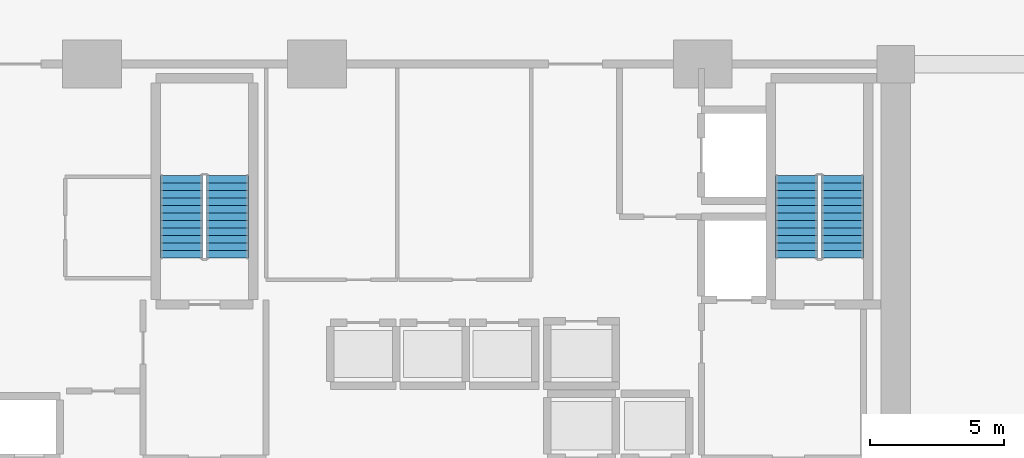
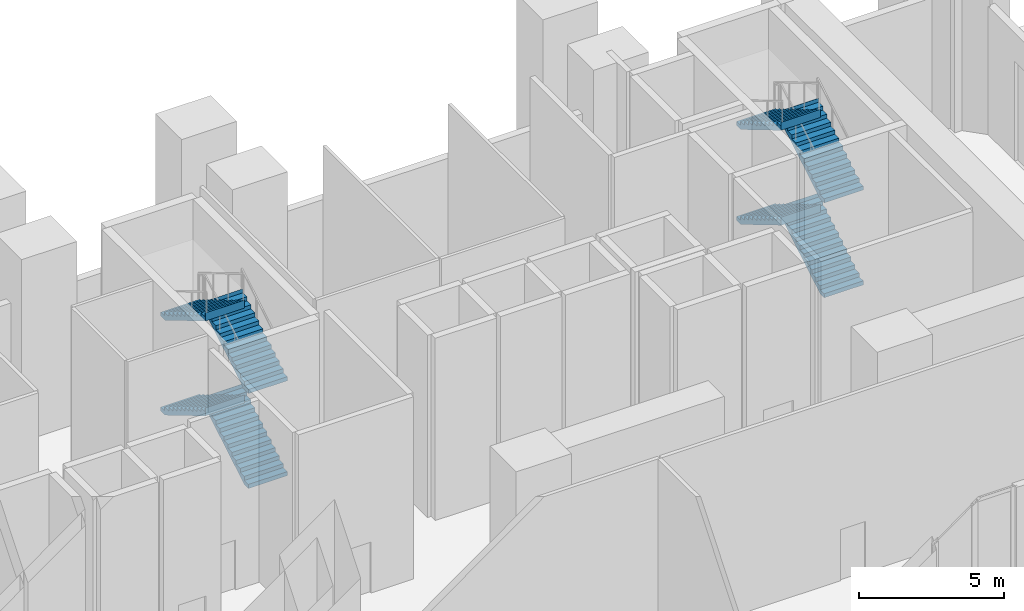
# One storey, part 14 of 17: 8 stair flights, 2 elements without a shape of their own.
"""IFC4 building model written with IfcOpenShell, lengths in metres."""

from ifc_helpers import new_model, si_unit, direction, frame, origin, place, context, subcontext, project, spatial, polyline, outline, extrude, material, type_object, element, aggregate, save


model = new_model("IFC4")

# Units and contexts
model_context = context("Model", 3, precision=1e-05, world=origin(), true_north=direction((0.0, 1.0)))
body_context = subcontext(model_context, "Body", "Model", "MODEL_VIEW")
ifc_project = project(units=[si_unit("LENGTHUNIT", "METRE"), si_unit("AREAUNIT", "SQUARE_METRE"), si_unit("VOLUMEUNIT", "CUBIC_METRE"), si_unit("PLANEANGLEUNIT", "RADIAN"), si_unit("MASSUNIT", "GRAM", prefix="KILO")], contexts=[model_context])

# Site, building, storey
site_placement = place(None, origin())
site = spatial("IfcSite", under=ifc_project, at=site_placement, CompositionType="ELEMENT")
building_placement = place(site_placement, origin())
building = spatial("IfcBuilding", under=site, at=building_placement, Name="Kaelvorn Grand Hotel", CompositionType="ELEMENT")
storey_placement = place(building_placement, origin())
storey = spatial("IfcBuildingStorey", under=building, at=storey_placement, Name="L00", CompositionType="ELEMENT", Elevation=0.0)

# Stair, stair flights
ifc_material = material(Name="Concrete C40/50", Category="concrete")
stair_type = type_object("IfcStairType", Name="STR-DOG-1560-R02", PredefinedType="HALF_TURN_STAIR", material=ifc_material)
stair_1_placement = place(storey_placement, origin())
stair_1 = element("IfcStair", 1, at=stair_1_placement, inside=storey, type_object=stair_type, Name="L00 Central Core Exit Stair ST2", PredefinedType="HALF_TURN_STAIR")
stair_flight_type = type_object("IfcStairFlightType", Name="FLG-DOG-1560-R02", PredefinedType="STRAIGHT", material=ifc_material)
stair_flight_1_placement = place(storey_placement, frame((42.860107421875, 41.760009765625, 0.0), z_axis=(0.0, 0.0, 1.0), x_axis=(0.0, 1.0, 0.0)))
stair_flight_1 = element("IfcStairFlight", 2, at=stair_flight_1_placement, type_object=stair_flight_type, Name="ST2 flight 1", NumberOfRisers=12, NumberOfTreads=11, PredefinedType="STRAIGHT", RiserHeight=0.166666667, TreadLength=0.28, context=body_context, shape_type="SweptSolid", body=[
    extrude(outline(polyline([(-0.0048828125, 0.0), (-0.0048828125, 0.0400390625), (0.0, 0.166748046875), (0.280029296875, 0.166748046875), (0.280029296875, 0.333251953125), (0.56005859375, 0.333251953125), (0.56005859375, 0.5), (0.840087890625, 0.5), (0.840087890625, 0.666748046875), (1.1201171875, 0.666748046875), (1.1201171875, 0.833251953125), (1.39990234375, 0.833251953125), (1.39990234375, 1.0), (1.679931640625, 1.0), (1.679931640625, 1.166748046875), (1.9599609375, 1.166748046875), (1.9599609375, 1.333251953125), (2.239990234375, 1.333251953125), (2.239990234375, 1.5), (2.52001953125, 1.5), (2.52001953125, 1.666748046875), (2.800048828125, 1.666748046875), (2.800048828125, 1.833251953125), (3.080078125, 1.833251953125), (3.080078125, 2.0), (3.0849609375, 2.0), (3.0849609375, 1.658935546875), (0.29296875, 0.0), (-0.0048828125, 0.0)])), frame((0.0, 0.780029296875, 0.0), z_axis=(0.0, -1.0, 0.0), x_axis=(1.0, 0.0, 0.0)), (0.0, 0.0, 1.0), 1.56005859375),
])
stair_flight_2_placement = place(storey_placement, frame((41.139892578125, 44.840087890625, 2.0), z_axis=(0.0, 0.0, 1.0), x_axis=(0.0, -1.0, 0.0)))
stair_flight_2 = element("IfcStairFlight", 3, at=stair_flight_2_placement, type_object=stair_flight_type, Name="ST2 flight 2", NumberOfRisers=12, NumberOfTreads=11, PredefinedType="STRAIGHT", RiserHeight=0.166666667, TreadLength=0.28, context=body_context, shape_type="SweptSolid", body=[
    extrude(outline(polyline([(-0.0048828125, 0.0), (-0.0048828125, 0.0400390625), (0.0, 0.166748046875), (0.280029296875, 0.166748046875), (0.280029296875, 0.333251953125), (0.56005859375, 0.333251953125), (0.56005859375, 0.5), (0.840087890625, 0.5), (0.840087890625, 0.666748046875), (1.1201171875, 0.666748046875), (1.1201171875, 0.833251953125), (1.39990234375, 0.833251953125), (1.39990234375, 1.0), (1.679931640625, 1.0), (1.679931640625, 1.166748046875), (1.9599609375, 1.166748046875), (1.9599609375, 1.333251953125), (2.239990234375, 1.333251953125), (2.239990234375, 1.5), (2.52001953125, 1.5), (2.52001953125, 1.666748046875), (2.800048828125, 1.666748046875), (2.800048828125, 1.833251953125), (3.080078125, 1.833251953125), (3.080078125, 2.0), (3.0849609375, 2.0), (3.0849609375, 1.658935546875), (0.29296875, 0.0), (-0.0048828125, 0.0)])), frame((0.0, 0.780029296875, 0.0), z_axis=(0.0, -1.0, 0.0), x_axis=(1.0, 0.0, 0.0)), (0.0, 0.0, 1.0), 1.56005859375),
])
stair_flight_3_placement = place(storey_placement, frame((42.860107421875, 41.760009765625, 4.0), z_axis=(0.0, 0.0, 1.0), x_axis=(0.0, 1.0, 0.0)))
stair_flight_3 = element("IfcStairFlight", 4, at=stair_flight_3_placement, type_object=stair_flight_type, Name="ST2 flight 3", NumberOfRisers=12, NumberOfTreads=11, PredefinedType="STRAIGHT", RiserHeight=0.166666667, TreadLength=0.28, context=body_context, shape_type="SweptSolid", body=[
    extrude(outline(polyline([(-0.0048828125, 0.0), (-0.0048828125, 0.0400390625), (0.0, 0.166748046875), (0.280029296875, 0.166748046875), (0.280029296875, 0.333251953125), (0.56005859375, 0.333251953125), (0.56005859375, 0.5), (0.840087890625, 0.5), (0.840087890625, 0.666748046875), (1.1201171875, 0.666748046875), (1.1201171875, 0.833251953125), (1.39990234375, 0.833251953125), (1.39990234375, 1.0), (1.679931640625, 1.0), (1.679931640625, 1.166748046875), (1.9599609375, 1.166748046875), (1.9599609375, 1.333251953125), (2.239990234375, 1.333251953125), (2.239990234375, 1.5), (2.52001953125, 1.5), (2.52001953125, 1.666748046875), (2.800048828125, 1.666748046875), (2.800048828125, 1.833251953125), (3.080078125, 1.833251953125), (3.080078125, 2.0), (3.0849609375, 2.0), (3.0849609375, 1.658935546875), (0.29296875, 0.0), (-0.0048828125, 0.0)])), frame((0.0, 0.780029296875, 0.0), z_axis=(0.0, -1.0, 0.0), x_axis=(1.0, 0.0, 0.0)), (0.0, 0.0, 1.0), 1.56005859375),
])
stair_flight_4_placement = place(storey_placement, frame((41.139892578125, 44.840087890625, 6.0), z_axis=(0.0, 0.0, 1.0), x_axis=(0.0, -1.0, 0.0)))
stair_flight_4 = element("IfcStairFlight", 5, at=stair_flight_4_placement, type_object=stair_flight_type, Name="ST2 flight 4", NumberOfRisers=12, NumberOfTreads=11, PredefinedType="STRAIGHT", RiserHeight=0.166666667, TreadLength=0.28, context=body_context, shape_type="SweptSolid", body=[
    extrude(outline(polyline([(-0.0048828125, 0.0), (-0.0048828125, 0.0400390625), (0.0, 0.166748046875), (0.280029296875, 0.166748046875), (0.280029296875, 0.333251953125), (0.56005859375, 0.333251953125), (0.56005859375, 0.5), (0.840087890625, 0.5), (0.840087890625, 0.666748046875), (1.1201171875, 0.666748046875), (1.1201171875, 0.833251953125), (1.39990234375, 0.833251953125), (1.39990234375, 1.0), (1.679931640625, 1.0), (1.679931640625, 1.166748046875), (1.9599609375, 1.166748046875), (1.9599609375, 1.333251953125), (2.239990234375, 1.333251953125), (2.239990234375, 1.5), (2.52001953125, 1.5), (2.52001953125, 1.666748046875), (2.800048828125, 1.666748046875), (2.800048828125, 1.833251953125), (3.080078125, 1.833251953125), (3.080078125, 2.0), (3.0849609375, 2.0), (3.0849609375, 1.658935546875), (0.29296875, 0.0), (-0.0048828125, 0.0)])), frame((0.0, 0.780029296875, 0.0), z_axis=(0.0, -1.0, 0.0), x_axis=(1.0, 0.0, 0.0)), (0.0, 0.0, 1.0), 1.56005859375),
])
aggregate(stair_1, [stair_flight_1, stair_flight_2, stair_flight_3, stair_flight_4])

stair_2_placement = place(storey_placement, origin())
stair_2 = element("IfcStair", 6, at=stair_2_placement, inside=storey, type_object=stair_type, Name="L00 East Core Exit Stair ST3", PredefinedType="HALF_TURN_STAIR")
stair_flight_5_placement = place(storey_placement, frame((65.820068359375, 41.760009765625, 0.0), z_axis=(0.0, 0.0, 1.0), x_axis=(0.0, 1.0, 0.0)))
stair_flight_5 = element("IfcStairFlight", 7, at=stair_flight_5_placement, type_object=stair_flight_type, Name="ST3 flight 1", NumberOfRisers=12, NumberOfTreads=11, PredefinedType="STRAIGHT", RiserHeight=0.166666667, TreadLength=0.28, context=body_context, shape_type="SweptSolid", body=[
    extrude(outline(polyline([(-0.0048828125, 0.0), (-0.0048828125, 0.0400390625), (0.0, 0.166748046875), (0.280029296875, 0.166748046875), (0.280029296875, 0.333251953125), (0.56005859375, 0.333251953125), (0.56005859375, 0.5), (0.840087890625, 0.5), (0.840087890625, 0.666748046875), (1.1201171875, 0.666748046875), (1.1201171875, 0.833251953125), (1.39990234375, 0.833251953125), (1.39990234375, 1.0), (1.679931640625, 1.0), (1.679931640625, 1.166748046875), (1.9599609375, 1.166748046875), (1.9599609375, 1.333251953125), (2.239990234375, 1.333251953125), (2.239990234375, 1.5), (2.52001953125, 1.5), (2.52001953125, 1.666748046875), (2.800048828125, 1.666748046875), (2.800048828125, 1.833251953125), (3.080078125, 1.833251953125), (3.080078125, 2.0), (3.0849609375, 2.0), (3.0849609375, 1.658935546875), (0.29296875, 0.0), (-0.0048828125, 0.0)])), frame((0.0, 0.780029296875, 0.0), z_axis=(0.0, -1.0, 0.0), x_axis=(1.0, 0.0, 0.0)), (0.0, 0.0, 1.0), 1.56005859375),
])
stair_flight_6_placement = place(storey_placement, frame((64.10009765625, 44.840087890625, 2.0), z_axis=(0.0, 0.0, 1.0), x_axis=(0.0, -1.0, 0.0)))
stair_flight_6 = element("IfcStairFlight", 8, at=stair_flight_6_placement, type_object=stair_flight_type, Name="ST3 flight 2", NumberOfRisers=12, NumberOfTreads=11, PredefinedType="STRAIGHT", RiserHeight=0.166666667, TreadLength=0.28, context=body_context, shape_type="SweptSolid", body=[
    extrude(outline(polyline([(-0.0048828125, 0.0), (-0.0048828125, 0.0400390625), (0.0, 0.166748046875), (0.280029296875, 0.166748046875), (0.280029296875, 0.333251953125), (0.56005859375, 0.333251953125), (0.56005859375, 0.5), (0.840087890625, 0.5), (0.840087890625, 0.666748046875), (1.1201171875, 0.666748046875), (1.1201171875, 0.833251953125), (1.39990234375, 0.833251953125), (1.39990234375, 1.0), (1.679931640625, 1.0), (1.679931640625, 1.166748046875), (1.9599609375, 1.166748046875), (1.9599609375, 1.333251953125), (2.239990234375, 1.333251953125), (2.239990234375, 1.5), (2.52001953125, 1.5), (2.52001953125, 1.666748046875), (2.800048828125, 1.666748046875), (2.800048828125, 1.833251953125), (3.080078125, 1.833251953125), (3.080078125, 2.0), (3.0849609375, 2.0), (3.0849609375, 1.658935546875), (0.29296875, 0.0), (-0.0048828125, 0.0)])), frame((0.0, 0.780029296875, 0.0), z_axis=(0.0, -1.0, 0.0), x_axis=(1.0, 0.0, 0.0)), (0.0, 0.0, 1.0), 1.56005859375),
])
stair_flight_7_placement = place(storey_placement, frame((65.820068359375, 41.760009765625, 4.0), z_axis=(0.0, 0.0, 1.0), x_axis=(0.0, 1.0, 0.0)))
stair_flight_7 = element("IfcStairFlight", 9, at=stair_flight_7_placement, type_object=stair_flight_type, Name="ST3 flight 3", NumberOfRisers=12, NumberOfTreads=11, PredefinedType="STRAIGHT", RiserHeight=0.166666667, TreadLength=0.28, context=body_context, shape_type="SweptSolid", body=[
    extrude(outline(polyline([(-0.0048828125, 0.0), (-0.0048828125, 0.0400390625), (0.0, 0.166748046875), (0.280029296875, 0.166748046875), (0.280029296875, 0.333251953125), (0.56005859375, 0.333251953125), (0.56005859375, 0.5), (0.840087890625, 0.5), (0.840087890625, 0.666748046875), (1.1201171875, 0.666748046875), (1.1201171875, 0.833251953125), (1.39990234375, 0.833251953125), (1.39990234375, 1.0), (1.679931640625, 1.0), (1.679931640625, 1.166748046875), (1.9599609375, 1.166748046875), (1.9599609375, 1.333251953125), (2.239990234375, 1.333251953125), (2.239990234375, 1.5), (2.52001953125, 1.5), (2.52001953125, 1.666748046875), (2.800048828125, 1.666748046875), (2.800048828125, 1.833251953125), (3.080078125, 1.833251953125), (3.080078125, 2.0), (3.0849609375, 2.0), (3.0849609375, 1.658935546875), (0.29296875, 0.0), (-0.0048828125, 0.0)])), frame((0.0, 0.780029296875, 0.0), z_axis=(0.0, -1.0, 0.0), x_axis=(1.0, 0.0, 0.0)), (0.0, 0.0, 1.0), 1.56005859375),
])
stair_flight_8_placement = place(storey_placement, frame((64.10009765625, 44.840087890625, 6.0), z_axis=(0.0, 0.0, 1.0), x_axis=(0.0, -1.0, 0.0)))
stair_flight_8 = element("IfcStairFlight", 10, at=stair_flight_8_placement, type_object=stair_flight_type, Name="ST3 flight 4", NumberOfRisers=12, NumberOfTreads=11, PredefinedType="STRAIGHT", RiserHeight=0.166666667, TreadLength=0.28, context=body_context, shape_type="SweptSolid", body=[
    extrude(outline(polyline([(-0.0048828125, 0.0), (-0.0048828125, 0.0400390625), (0.0, 0.166748046875), (0.280029296875, 0.166748046875), (0.280029296875, 0.333251953125), (0.56005859375, 0.333251953125), (0.56005859375, 0.5), (0.840087890625, 0.5), (0.840087890625, 0.666748046875), (1.1201171875, 0.666748046875), (1.1201171875, 0.833251953125), (1.39990234375, 0.833251953125), (1.39990234375, 1.0), (1.679931640625, 1.0), (1.679931640625, 1.166748046875), (1.9599609375, 1.166748046875), (1.9599609375, 1.333251953125), (2.239990234375, 1.333251953125), (2.239990234375, 1.5), (2.52001953125, 1.5), (2.52001953125, 1.666748046875), (2.800048828125, 1.666748046875), (2.800048828125, 1.833251953125), (3.080078125, 1.833251953125), (3.080078125, 2.0), (3.0849609375, 2.0), (3.0849609375, 1.658935546875), (0.29296875, 0.0), (-0.0048828125, 0.0)])), frame((0.0, 0.780029296875, 0.0), z_axis=(0.0, -1.0, 0.0), x_axis=(1.0, 0.0, 0.0)), (0.0, 0.0, 1.0), 1.56005859375),
])
aggregate(stair_2, [stair_flight_5, stair_flight_6, stair_flight_7, stair_flight_8])

save(model, "model.ifc")
